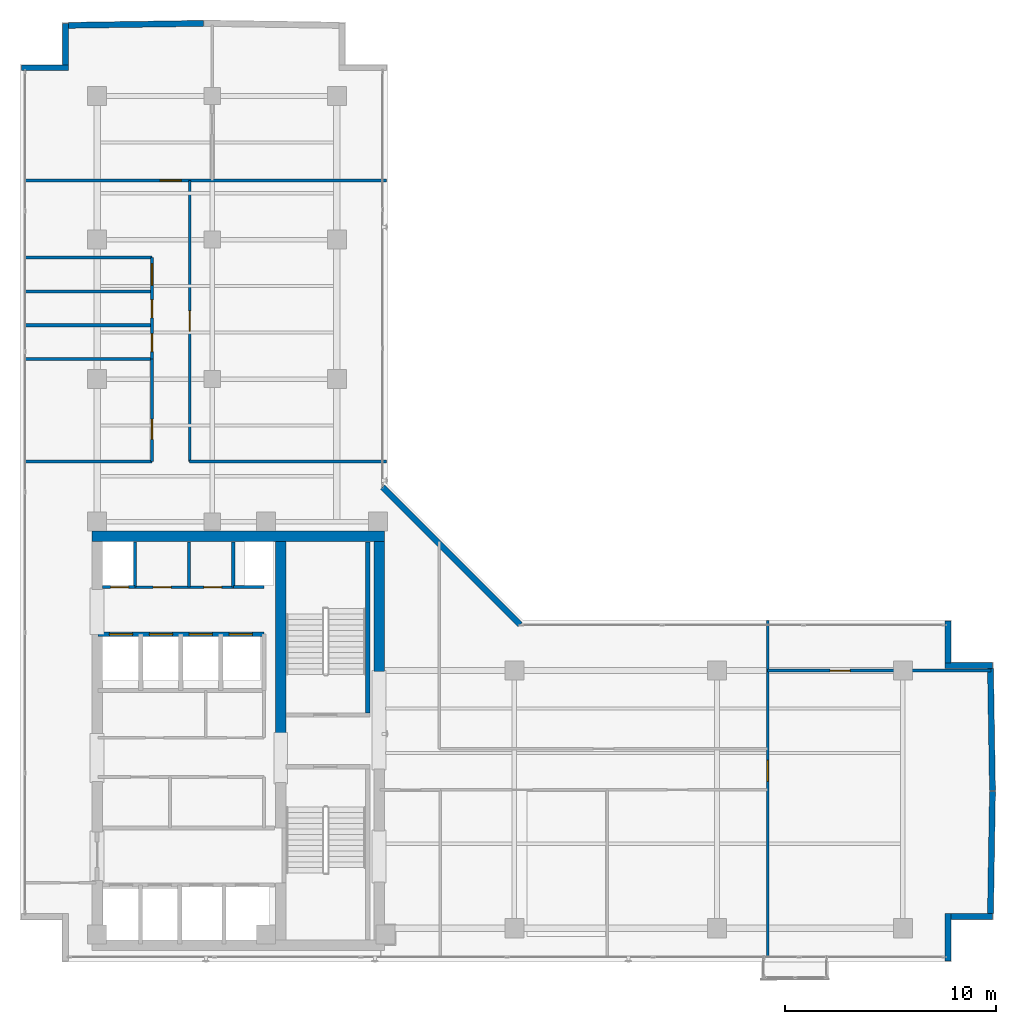
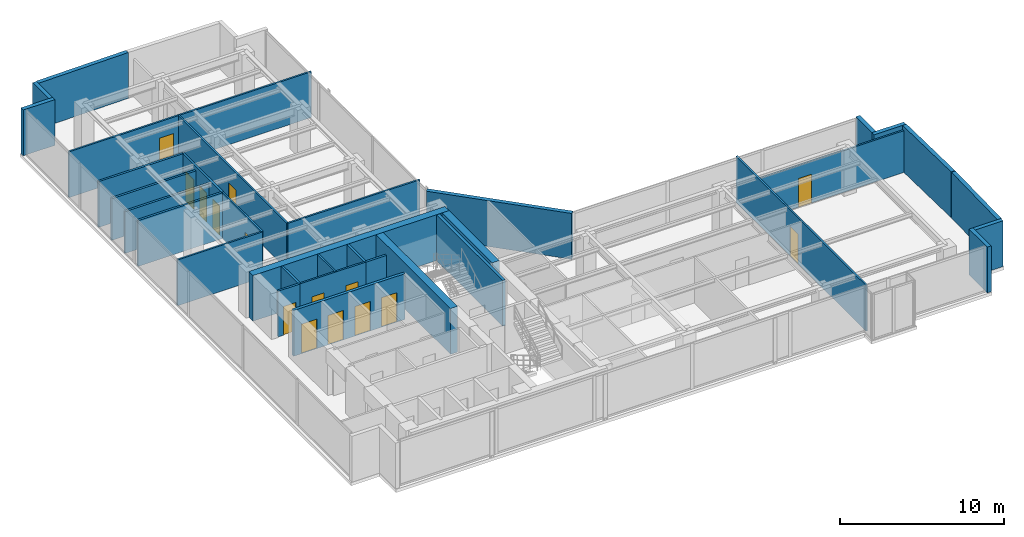
# One storey, part 17 of 23: 33 walls, 15 doors, 15 openings.
"""IFC4 building model written with IfcOpenShell, lengths in metres."""

from ifc_helpers import new_model, si_unit, direction, frame, frame_2d, origin, place, context, subcontext, project, spatial, rectangle, extrude, material, layer, layer_set, type_object, element, fill, save


model = new_model("IFC4")

# Units and contexts
model_context = context("Model", 3, precision=1e-05, world=origin(), true_north=direction((0.0, 1.0)))
body_context = subcontext(model_context, "Body", "Model", "MODEL_VIEW")
ifc_project = project(units=[si_unit("LENGTHUNIT", "METRE"), si_unit("AREAUNIT", "SQUARE_METRE"), si_unit("VOLUMEUNIT", "CUBIC_METRE"), si_unit("PLANEANGLEUNIT", "RADIAN"), si_unit("MASSUNIT", "GRAM", prefix="KILO")], contexts=[model_context])

# Site, building, storey
site_placement = place(None, origin())
site = spatial("IfcSite", under=ifc_project, at=site_placement, CompositionType="ELEMENT")
building_placement = place(site_placement, origin())
building = spatial("IfcBuilding", under=site, at=building_placement, Name="Kolvaren Waterfront Exchange", CompositionType="ELEMENT")
storey_placement = place(building_placement, frame((0.0, 0.0, 335.0)))
storey = spatial("IfcBuildingStorey", under=building, at=storey_placement, Name="L86", CompositionType="ELEMENT", Elevation=335.0)

# Walls
ifc_material_1 = material(Name="Precast concrete C40/50", Category="concrete")
ifc_layer_1 = layer(ifc_material_1, 0.280029296875, Name="Precast concrete C40/50")
ifc_layer_set_1 = layer_set([ifc_layer_1], Name="Precast concrete C40/50")
wall_type_1 = type_object("IfcWallType", Name="ARC-EXT-TERR-280", PredefinedType="SOLIDWALL", material=ifc_layer_set_1)
wall_1_placement = place(storey_placement, frame((47.739990234375, 3.659912109375, 0.0), z_axis=(0.0, 0.0, 1.0), x_axis=(0.0, 1.0, 0.0)))
element("IfcWall", 1, at=wall_1_placement, inside=storey, type_object=wall_type_1, Name="L86 notched corner spandrel pier SE-A", PredefinedType="SOLIDWALL", context=body_context, shape_type="SweptSolid", body=[
    extrude(rectangle(XDim=2.239990234375, YDim=0.280029296875, at=frame_2d((1.1201171875, 0.0))), origin(), (0.0, 0.0, 1.0), 3.419921875),
])
wall_2_placement = place(storey_placement, frame((47.8798828125, 5.760009765625, 0.0), z_axis=(0.0, 0.0, 1.0), x_axis=(1.0, 0.0, 0.0)))
element("IfcWall", 2, at=wall_2_placement, inside=storey, type_object=wall_type_1, Name="L86 notched corner spandrel pier SE-B", PredefinedType="SOLIDWALL", context=body_context, shape_type="SweptSolid", body=[
    extrude(rectangle(XDim=1.960205078125, YDim=0.280029296875, at=frame_2d((0.97998046875, 0.0))), origin(), (0.0, 0.0, 1.0), 3.419921875),
])
wall_3_placement = place(storey_placement, frame((47.739990234375, 17.764892578125, 0.0), z_axis=(0.0, 0.0, 1.0), x_axis=(0.0, 1.0, 0.0)))
element("IfcWall", 3, at=wall_3_placement, inside=storey, type_object=wall_type_1, Name="L86 notched corner spandrel pier ENE-A", PredefinedType="SOLIDWALL", context=body_context, shape_type="SweptSolid", body=[
    extrude(rectangle(XDim=1.97509765625, YDim=0.280029296875, at=frame_2d((0.987548828125, 0.0))), origin(), (0.0, 0.0, 1.0), 3.419921875),
])
for number, where, z_axis, x_axis, name in (
    (4, (47.60009765625, 17.639892578125, 0.0), (0.0, 0.0, 1.0), (1.0, 0.0, 0.0), "L86 notched corner spandrel pier ENE-B"),
    (5, (3.860107421875, 45.93994140625, 0.0), (0.0, 0.0, 1.0), (1.0, 0.0, 0.0), "L86 notched corner spandrel pier NW-A"),
):
    element("IfcWall", number, at=place(storey_placement, frame(where, z_axis=z_axis, x_axis=x_axis)), inside=storey, type_object=wall_type_1, Name=name, PredefinedType="SOLIDWALL", context=body_context, shape_type="SweptSolid", body=[
        extrude(rectangle(XDim=2.239990234375, YDim=0.280029296875, at=frame_2d((1.1201171875, 0.0))), origin(), (0.0, 0.0, 1.0), 3.419921875),
    ])
wall_4_placement = place(storey_placement, frame((5.9599609375, 46.080078125, 0.0), z_axis=(0.0, 0.0, 1.0), x_axis=(0.0, 1.0, 0.0)))
element("IfcWall", 6, at=wall_4_placement, inside=storey, type_object=wall_type_1, Name="L86 notched corner spandrel pier NW-B", PredefinedType="SOLIDWALL", context=body_context, shape_type="SweptSolid", body=[
    extrude(rectangle(XDim=1.9599609375, YDim=0.280029296875, at=frame_2d((0.97998046875, 0.0))), origin(), (0.0, 0.0, 1.0), 3.419921875),
])
wall_5_placement = place(storey_placement, frame((27.485107421875, 19.574951171875, 0.0), z_axis=(0.0, 0.0, 1.0), x_axis=(-0.707106781187, 0.707106781187, 0.0)))
element("IfcWall", 7, at=wall_5_placement, inside=storey, type_object=wall_type_1, Name="L86 notched corner spandrel pier ELBOW", PredefinedType="SOLIDWALL", context=body_context, shape_type="SweptSolid", body=[
    extrude(rectangle(XDim=9.20654296875, YDim=0.280029296875, at=frame_2d((4.603271484375, 0.0))), origin(), (0.0, 0.0, 1.0), 3.419921875),
])
for number, where, z_axis, x_axis, name in (
    (8, (49.744873046875, 5.902587890625, 0.0), (0.0, 0.0, 1.0), (0.016386395134, 0.999865734014, 0.0), "L86 east prow faceted facade wall 1"),
    (9, (49.839599609375, 11.71728515625, 0.0), (0.0, 0.0, 1.0), (-0.016386395134, 0.999865734014, 0.0), "L86 east prow faceted facade wall 2"),
):
    element("IfcWall", number, at=place(storey_placement, frame(where, z_axis=z_axis, x_axis=x_axis)), inside=storey, type_object=wall_type_1, Name=name, PredefinedType="SOLIDWALL", context=body_context, shape_type="SweptSolid", body=[
        extrude(rectangle(XDim=5.78076171875, YDim=0.280029296875, at=frame_2d((2.890380859375, 0.0))), origin(), (0.0, 0.0, 1.0), 3.419921875),
    ])
wall_6_placement = place(storey_placement, frame((12.482421875, 48.039794921875, 0.0), z_axis=(0.0, 0.0, 1.0), x_axis=(-0.999888660787, -0.014921998152, 0.0)))
element("IfcWall", 10, at=wall_6_placement, inside=storey, type_object=wall_type_1, Name="L86 north prow faceted facade wall 2", PredefinedType="SOLIDWALL", context=body_context, shape_type="SweptSolid", body=[
    extrude(rectangle(XDim=6.380859375, YDim=0.280029296875, at=frame_2d((3.1904296875, 0.0))), origin(), (0.0, 0.0, 1.0), 3.419921875),
])

# Wall, openings, doors
ifc_material_2 = material(Name="Acoustic gypsum steel stud", Category="steel")
ifc_layer_2 = layer(ifc_material_2, 0.125, Name="Acoustic gypsum steel stud")
ifc_layer_set_2 = layer_set([ifc_layer_2], Name="Acoustic gypsum steel stud")
wall_type_2 = type_object("IfcWallType", Name="ARC-PART-125", PredefinedType="PARTITIONING", material=ifc_layer_set_2)
wall_7_placement = place(storey_placement, frame((9.25, 21.35009765625, 0.0), z_axis=(0.0, 0.0, 1.0), x_axis=(1.0, 0.0, 0.0)))
wall_7 = element("IfcWall", 11, at=wall_7_placement, inside=storey, type_object=wall_type_2, Name="L86 interior wall PW-L86-SVC-HI-S", PredefinedType="PARTITIONING", context=body_context, shape_type="SweptSolid", body=[
    extrude(rectangle(XDim=4.64990234375, YDim=0.125, at=frame_2d((2.324951171875, 0.0))), origin(), (0.0, 0.0, 1.0), 3.419921875),
])
opening_1_placement = place(wall_7_placement, frame((0.85009765625, 0.0, 0.0)))
opening_1 = element("IfcOpeningElement", 12, at=opening_1_placement, cuts=wall_7, Name="Opening D01", PredefinedType="OPENING", context=body_context, shape_type="SweptSolid", body=[
    extrude(rectangle(XDim=0.85009765625, YDim=2.14990234375, at=frame_2d((0.425048828125, 1.074951171875))), frame((0.0, 0.072509765625, 0.0), z_axis=(0.0, -1.0, 0.0), x_axis=(1.0, 0.0, 0.0)), (0.0, 0.0, 1.0), 0.14501953125),
])
opening_2_placement = place(wall_7_placement, frame((3.25, 0.0, 0.0)))
opening_2 = element("IfcOpeningElement", 13, at=opening_2_placement, cuts=wall_7, Name="Opening D01", PredefinedType="OPENING", context=body_context, shape_type="SweptSolid", body=[
    extrude(rectangle(XDim=0.85009765625, YDim=2.14990234375, at=frame_2d((0.425048828125, 1.074951171875))), frame((0.0, 0.072509765625, 0.0), z_axis=(0.0, -1.0, 0.0), x_axis=(1.0, 0.0, 0.0)), (0.0, 0.0, 1.0), 0.14501953125),
])
ifc_material_3 = material(Name="Oak veneer timber leaf", Category="wood")
door_type_1 = type_object("IfcDoorType", Name="ARC-DR-900", OperationType="NOTDEFINED", PredefinedType="DOOR", material=ifc_material_3)
door_1_placement = place(opening_1_placement, origin())
door_1 = element("IfcDoor", 14, at=door_1_placement, inside=storey, type_object=door_type_1, Name="L86 door DR-L86-SVC-DR-1 (D01)", OperationType="SINGLE_SWING_RIGHT", OverallHeight=2.14990234375, OverallWidth=0.85009765625, PredefinedType="DOOR", context=body_context, shape_type="SweptSolid", body=[
    extrude(rectangle(XDim=0.85009765625, YDim=2.14990234375, at=frame_2d((0.425048828125, 1.074951171875))), frame((0.0, 0.02490234375, 0.0), z_axis=(0.0, -1.0, 0.0), x_axis=(1.0, 0.0, 0.0)), (0.0, 0.0, 1.0), 0.050048828125),
])
fill(opening_1, door_1)
door_2_placement = place(opening_2_placement, origin())
door_2 = element("IfcDoor", 15, at=door_2_placement, inside=storey, type_object=door_type_1, Name="L86 door DR-L86-SVC-DR-2 (D01)", OperationType="SINGLE_SWING_LEFT", OverallHeight=2.14990234375, OverallWidth=0.85009765625, PredefinedType="DOOR", context=body_context, shape_type="SweptSolid", body=[
    extrude(rectangle(XDim=0.85009765625, YDim=2.14990234375, at=frame_2d((0.425048828125, 1.074951171875))), frame((0.0, 0.02490234375, 0.0), z_axis=(0.0, -1.0, 0.0), x_axis=(1.0, 0.0, 0.0)), (0.0, 0.0, 1.0), 0.050048828125),
])
fill(opening_2, door_2)

# Wall
wall_8_placement = place(storey_placement, frame((11.800048828125, 21.35009765625, 0.0), z_axis=(0.0, 0.0, 1.0), x_axis=(0.0, 1.0, 0.0)))
element("IfcWall", 16, at=wall_8_placement, inside=storey, type_object=wall_type_2, Name="L86 interior wall PW-L86-SVC-HI-M", PredefinedType="PARTITIONING", context=body_context, shape_type="SweptSolid", body=[
    extrude(rectangle(XDim=2.1298828125, YDim=0.125, at=frame_2d((1.06494140625, 0.0))), origin(), (0.0, 0.0, 1.0), 3.419921875),
])

# Wall, opening, door
wall_9_placement = place(storey_placement, frame((10.050048828125, 27.300048828125, 0.0), z_axis=(0.0, 0.0, 1.0), x_axis=(0.0, 1.0, 0.0)))
wall_9 = element("IfcWall", 17, at=wall_9_placement, inside=storey, type_object=wall_type_2, Name="L86 interior wall PW-L86-PREWC-E", PredefinedType="PARTITIONING", context=body_context, shape_type="SweptSolid", body=[
    extrude(rectangle(XDim=4.849853515625, YDim=0.125, at=frame_2d((2.4248046875, 0.0))), origin(), (0.0, 0.0, 1.0), 3.419921875),
])
opening_3_placement = place(wall_9_placement, frame((1.050048828125, 0.0, 0.0)))
opening_3 = element("IfcOpeningElement", 18, at=opening_3_placement, cuts=wall_9, Name="Opening D02", PredefinedType="OPENING", context=body_context, shape_type="SweptSolid", body=[
    extrude(rectangle(XDim=0.949951171875, YDim=2.14990234375, at=frame_2d((0.47509765625, 1.074951171875))), frame((0.0, 0.072509765625, 0.0), z_axis=(0.0, -1.0, 0.0), x_axis=(1.0, 0.0, 0.0)), (0.0, 0.0, 1.0), 0.14501953125),
])
ifc_material_4 = material(Name="Oak veneer acoustic timber", Category="wood")
door_type_2 = type_object("IfcDoorType", Name="ARC-DR-950", OperationType="NOTDEFINED", PredefinedType="DOOR", material=ifc_material_4)
door_3_placement = place(opening_3_placement, origin())
door_3 = element("IfcDoor", 19, at=door_3_placement, inside=storey, type_object=door_type_2, Name="L86 door DR-L86-PREWC-D (D02)", OperationType="SINGLE_SWING_RIGHT", OverallHeight=2.14990234375, OverallWidth=0.949951171875, PredefinedType="DOOR", context=body_context, shape_type="SweptSolid", body=[
    extrude(rectangle(XDim=0.949951171875, YDim=2.14990234375, at=frame_2d((0.47509765625, 1.074951171875))), frame((0.0, 0.02490234375, 0.0), z_axis=(0.0, -1.0, 0.0), x_axis=(1.0, 0.0, 0.0)), (0.0, 0.0, 1.0), 0.050048828125),
])
fill(opening_3, door_3)

# Wall
wall_10_placement = place(storey_placement, frame((4.0400390625, 27.300048828125, 0.0), z_axis=(0.0, 0.0, 1.0), x_axis=(1.0, 0.0, 0.0)))
element("IfcWall", 20, at=wall_10_placement, inside=storey, type_object=wall_type_2, Name="L86 interior wall PW-L86-PREWC-S", PredefinedType="PARTITIONING", context=body_context, shape_type="SweptSolid", body=[
    extrude(rectangle(XDim=6.010009765625, YDim=0.125, at=frame_2d((3.0048828125, 0.0))), origin(), (0.0, 0.0, 1.0), 3.419921875),
])

# Wall, opening, door
wall_11_placement = place(storey_placement, frame((39.199951171875, 3.840087890625, 0.0), z_axis=(0.0, 0.0, 1.0), x_axis=(0.0, 1.0, 0.0)))
wall_11 = element("IfcWall", 21, at=wall_11_placement, inside=storey, type_object=wall_type_2, Name="L86 interior wall PW-L86-ETIP-W", PredefinedType="PARTITIONING", context=body_context, shape_type="SweptSolid", body=[
    extrude(rectangle(XDim=15.919921875, YDim=0.125, at=frame_2d((7.9599609375, 0.0))), origin(), (0.0, 0.0, 1.0), 3.419921875),
])
opening_4_placement = place(wall_11_placement, frame((8.31005859375, 0.0, 0.0)))
opening_4 = element("IfcOpeningElement", 22, at=opening_4_placement, cuts=wall_11, Name="Opening D03", PredefinedType="OPENING", context=body_context, shape_type="SweptSolid", body=[
    extrude(rectangle(XDim=1.0, YDim=2.199951171875, at=frame_2d((0.5, 1.10009765625))), frame((0.0, 0.072509765625, 0.0), z_axis=(0.0, -1.0, 0.0), x_axis=(1.0, 0.0, 0.0)), (0.0, 0.0, 1.0), 0.14501953125),
])
ifc_material_5 = material(Name="Oak veneer accessible timber", Category="wood")
door_type_3 = type_object("IfcDoorType", Name="ARC-DR-1000", OperationType="NOTDEFINED", PredefinedType="DOOR", material=ifc_material_5)
door_4_placement = place(opening_4_placement, origin())
door_4 = element("IfcDoor", 23, at=door_4_placement, inside=storey, type_object=door_type_3, Name="L86 door DR-L86-ETIP1-D (D03)", OperationType="SINGLE_SWING_RIGHT", OverallHeight=2.199951171875, OverallWidth=1.0, PredefinedType="DOOR", context=body_context, shape_type="SweptSolid", body=[
    extrude(rectangle(XDim=1.0, YDim=2.199951171875, at=frame_2d((0.5, 1.10009765625))), frame((0.0, 0.02490234375, 0.0), z_axis=(0.0, -1.0, 0.0), x_axis=(1.0, 0.0, 0.0)), (0.0, 0.0, 1.0), 0.050048828125),
])
fill(opening_4, door_4)

wall_12_placement = place(storey_placement, frame((39.199951171875, 17.39990234375, 0.0), z_axis=(0.0, 0.0, 1.0), x_axis=(1.0, 0.0, 0.0)))
wall_12 = element("IfcWall", 24, at=wall_12_placement, inside=storey, type_object=wall_type_2, Name="L86 interior wall PW-L86-ETIP-MID", PredefinedType="PARTITIONING", context=body_context, shape_type="SweptSolid", body=[
    extrude(rectangle(XDim=10.56005859375, YDim=0.125, at=frame_2d((5.280029296875, 0.0))), origin(), (0.0, 0.0, 1.0), 3.1201171875),
])
opening_5_placement = place(wall_12_placement, frame((2.949951171875, 0.0, 0.0)))
opening_5 = element("IfcOpeningElement", 25, at=opening_5_placement, cuts=wall_12, Name="Opening D02", PredefinedType="OPENING", context=body_context, shape_type="SweptSolid", body=[
    extrude(rectangle(XDim=0.949951171875, YDim=2.14990234375, at=frame_2d((0.47509765625, 1.074951171875))), frame((0.0, 0.072509765625, 0.0), z_axis=(0.0, -1.0, 0.0), x_axis=(1.0, 0.0, 0.0)), (0.0, 0.0, 1.0), 0.14501953125),
])
door_5_placement = place(opening_5_placement, origin())
door_5 = element("IfcDoor", 26, at=door_5_placement, inside=storey, type_object=door_type_2, Name="L86 door DR-L86-ETIP2-D (D02)", OperationType="SINGLE_SWING_LEFT", OverallHeight=2.14990234375, OverallWidth=0.949951171875, PredefinedType="DOOR", context=body_context, shape_type="SweptSolid", body=[
    extrude(rectangle(XDim=0.949951171875, YDim=2.14990234375, at=frame_2d((0.47509765625, 1.074951171875))), frame((0.0, 0.02490234375, 0.0), z_axis=(0.0, -1.0, 0.0), x_axis=(1.0, 0.0, 0.0)), (0.0, 0.0, 1.0), 0.050048828125),
])
fill(opening_5, door_5)

wall_13_placement = place(storey_placement, frame((4.0400390625, 40.60009765625, 0.0), z_axis=(0.0, 0.0, 1.0), x_axis=(1.0, 0.0, 0.0)))
wall_13 = element("IfcWall", 27, at=wall_13_placement, inside=storey, type_object=wall_type_2, Name="L86 interior wall PW-L86-NTIP-S", PredefinedType="PARTITIONING", context=body_context, shape_type="SweptSolid", body=[
    extrude(rectangle(XDim=17.119873046875, YDim=0.125, at=frame_2d((8.56005859375, 0.0))), origin(), (0.0, 0.0, 1.0), 3.419921875),
])
opening_6_placement = place(wall_13_placement, frame((6.39990234375, 0.0, 0.0)))
opening_6 = element("IfcOpeningElement", 28, at=opening_6_placement, cuts=wall_13, Name="Opening D03", PredefinedType="OPENING", context=body_context, shape_type="SweptSolid", body=[
    extrude(rectangle(XDim=1.0, YDim=2.199951171875, at=frame_2d((0.5, 1.10009765625))), frame((0.0, 0.072509765625, 0.0), z_axis=(0.0, -1.0, 0.0), x_axis=(1.0, 0.0, 0.0)), (0.0, 0.0, 1.0), 0.14501953125),
])
door_6_placement = place(opening_6_placement, origin())
door_6 = element("IfcDoor", 29, at=door_6_placement, inside=storey, type_object=door_type_3, Name="L86 door DR-L86-NTIPW-D (D03)", OperationType="SINGLE_SWING_LEFT", OverallHeight=2.199951171875, OverallWidth=1.0, PredefinedType="DOOR", context=body_context, shape_type="SweptSolid", body=[
    extrude(rectangle(XDim=1.0, YDim=2.199951171875, at=frame_2d((0.5, 1.10009765625))), frame((0.0, 0.02490234375, 0.0), z_axis=(0.0, -1.0, 0.0), x_axis=(1.0, 0.0, 0.0)), (0.0, 0.0, 1.0), 0.050048828125),
])
fill(opening_6, door_6)

# Wall
wall_14_placement = place(storey_placement, frame((11.830078125, 27.300048828125, 0.0), z_axis=(0.0, 0.0, 1.0), x_axis=(1.0, 0.0, 0.0)))
element("IfcWall", 30, at=wall_14_placement, inside=storey, type_object=wall_type_2, Name="L86 interior wall PW-L86-NE-S0", PredefinedType="PARTITIONING", context=body_context, shape_type="SweptSolid", body=[
    extrude(rectangle(XDim=9.329833984375, YDim=0.125, at=frame_2d((4.6650390625, 0.0))), origin(), (0.0, 0.0, 1.0), 3.419921875),
])

# Wall, opening, door
wall_15_placement = place(storey_placement, frame((11.830078125, 27.300048828125, 0.0), z_axis=(0.0, 0.0, 1.0), x_axis=(0.0, 1.0, 0.0)))
wall_15 = element("IfcWall", 31, at=wall_15_placement, inside=storey, type_object=wall_type_2, Name="L86 interior wall PW-L86-NE-CORR", PredefinedType="PARTITIONING", context=body_context, shape_type="SweptSolid", body=[
    extrude(rectangle(XDim=13.300048828125, YDim=0.125, at=frame_2d((6.64990234375, 0.0))), origin(), (0.0, 0.0, 1.0), 3.419921875),
])
opening_7_placement = place(wall_15_placement, frame((6.175048828125, 0.0, 0.0)))
opening_7 = element("IfcOpeningElement", 32, at=opening_7_placement, cuts=wall_15, Name="Opening D02", PredefinedType="OPENING", context=body_context, shape_type="SweptSolid", body=[
    extrude(rectangle(XDim=0.949951171875, YDim=2.14990234375, at=frame_2d((0.47509765625, 1.074951171875))), frame((0.0, 0.072509765625, 0.0), z_axis=(0.0, -1.0, 0.0), x_axis=(1.0, 0.0, 0.0)), (0.0, 0.0, 1.0), 0.14501953125),
])
door_7_placement = place(opening_7_placement, origin())
door_7 = element("IfcDoor", 33, at=door_7_placement, inside=storey, type_object=door_type_2, Name="L86 door DR-L86-NE-D-1 (D02)", OperationType="SINGLE_SWING_LEFT", OverallHeight=2.14990234375, OverallWidth=0.949951171875, PredefinedType="DOOR", context=body_context, shape_type="SweptSolid", body=[
    extrude(rectangle(XDim=0.949951171875, YDim=2.14990234375, at=frame_2d((0.47509765625, 1.074951171875))), frame((0.0, 0.02490234375, 0.0), z_axis=(0.0, -1.0, 0.0), x_axis=(1.0, 0.0, 0.0)), (0.0, 0.0, 1.0), 0.050048828125),
])
fill(opening_7, door_7)

# Walls
ifc_material_6 = material(Name="Gypsum fireboard steel stud", Category="steel")
ifc_layer_3 = layer(ifc_material_6, 0.14990234375, Name="Gypsum fireboard steel stud")
ifc_layer_set_3 = layer_set([ifc_layer_3], Name="Gypsum fireboard steel stud")
wall_type_3 = type_object("IfcWallType", Name="ARC-PART-150", PredefinedType="PARTITIONING", material=ifc_layer_set_3)
for number, where, z_axis, x_axis, name in (
    (34, (9.25, 21.35009765625, 0.0), (0.0, 0.0, 1.0), (0.0, 1.0, 0.0), "L86 interior wall PW-L86-SVC-R1"),
    (35, (13.89990234375, 21.35009765625, 0.0), (0.0, 0.0, 1.0), (0.0, 1.0, 0.0), "L86 interior wall PW-L86-SVC-R2"),
):
    element("IfcWall", number, at=place(storey_placement, frame(where, z_axis=z_axis, x_axis=x_axis)), inside=storey, type_object=wall_type_3, Name=name, PredefinedType="PARTITIONING", context=body_context, shape_type="SweptSolid", body=[
        extrude(rectangle(XDim=2.1298828125, YDim=0.14990234375, at=frame_2d((1.06494140625, 0.0))), origin(), (0.0, 0.0, 1.0), 3.419921875),
    ])

# Wall, opening, door
wall_16_placement = place(storey_placement, frame((7.699951171875, 21.35009765625, 0.0), z_axis=(0.0, 0.0, 1.0), x_axis=(1.0, 0.0, 0.0)))
wall_16 = element("IfcWall", 36, at=wall_16_placement, inside=storey, type_object=wall_type_3, Name="L86 interior wall PW-L86-SVC-RE-S", PredefinedType="PARTITIONING", context=body_context, shape_type="SweptSolid", body=[
    extrude(rectangle(XDim=1.550048828125, YDim=0.14990234375, at=frame_2d((0.77490234375, 0.0))), origin(), (0.0, 0.0, 1.0), 3.419921875),
])
opening_8_placement = place(wall_16_placement, frame((0.389892578125, 0.0, 0.0)))
opening_8 = element("IfcOpeningElement", 37, at=opening_8_placement, cuts=wall_16, Name="Opening FD1", PredefinedType="OPENING", context=body_context, shape_type="SweptSolid", body=[
    extrude(rectangle(XDim=0.85009765625, YDim=2.14990234375, at=frame_2d((0.425048828125, 1.074951171875))), frame((0.0, 0.0849609375, 0.0), z_axis=(0.0, -1.0, 0.0), x_axis=(1.0, 0.0, 0.0)), (0.0, 0.0, 1.0), 0.169921875),
])
ifc_material_7 = material(Name="Pressed steel fire leaf", Category="steel")
door_type_4 = type_object("IfcDoorType", Name="ARC-FD-900", OperationType="NOTDEFINED", PredefinedType="DOOR", material=ifc_material_7)
door_8_placement = place(opening_8_placement, origin())
door_8 = element("IfcDoor", 38, at=door_8_placement, inside=storey, type_object=door_type_4, Name="L86 door DR-L86-RISER-E-DR (FD1)", OperationType="SINGLE_SWING_LEFT", OverallHeight=2.14990234375, OverallWidth=0.85009765625, PredefinedType="DOOR", context=body_context, shape_type="SweptSolid", body=[
    extrude(rectangle(XDim=0.85009765625, YDim=2.14990234375, at=frame_2d((0.425048828125, 1.074951171875))), frame((0.0, 0.02490234375, 0.0), z_axis=(0.0, -1.0, 0.0), x_axis=(1.0, 0.0, 0.0)), (0.0, 0.0, 1.0), 0.050048828125),
])
fill(opening_8, door_8)

# Walls
wall_17_placement = place(storey_placement, frame((13.89990234375, 21.35009765625, 0.0), z_axis=(0.0, 0.0, 1.0), x_axis=(1.0, 0.0, 0.0)))
element("IfcWall", 39, at=wall_17_placement, inside=storey, type_object=wall_type_3, Name="L86 interior wall PW-L86-SVC-RP-S", PredefinedType="PARTITIONING", context=body_context, shape_type="SweptSolid", body=[
    extrude(rectangle(XDim=1.4501953125, YDim=0.14990234375, at=frame_2d((0.72509765625, 0.0))), origin(), (0.0, 0.0, 1.0), 3.419921875),
])
ifc_material_8 = material(Name="Moisture-resistant gypsum stud")
ifc_layer_4 = layer(ifc_material_8, 0.14990234375, Name="Moisture-resistant gypsum stud")
ifc_layer_set_4 = layer_set([ifc_layer_4], Name="Moisture-resistant gypsum stud")
wall_type_4 = type_object("IfcWallType", Name="ARC-PLUMB-150", PredefinedType="PLUMBINGWALL", material=ifc_layer_set_4)
wall_18_placement = place(storey_placement, frame((4.0400390625, 32.14990234375, 0.0), z_axis=(0.0, 0.0, 1.0), x_axis=(1.0, 0.0, 0.0)))
element("IfcWall", 40, at=wall_18_placement, inside=storey, type_object=wall_type_4, Name="L86 interior wall PW-L86-WC-0", PredefinedType="PLUMBINGWALL", context=body_context, shape_type="SweptSolid", body=[
    extrude(rectangle(XDim=6.010009765625, YDim=0.14990234375, at=frame_2d((3.0048828125, 0.0))), origin(), (0.0, 0.0, 1.0), 3.419921875),
])

# Wall, openings, doors
wall_19_placement = place(storey_placement, frame((10.050048828125, 32.14990234375, 0.0), z_axis=(0.0, 0.0, 1.0), x_axis=(0.0, 1.0, 0.0)))
wall_19 = element("IfcWall", 41, at=wall_19_placement, inside=storey, type_object=wall_type_4, Name="L86 interior wall PW-L86-WC-E", PredefinedType="PLUMBINGWALL", context=body_context, shape_type="SweptSolid", body=[
    extrude(rectangle(XDim=4.800048828125, YDim=0.14990234375, at=frame_2d((2.39990234375, 0.0))), origin(), (0.0, 0.0, 1.0), 3.419921875),
])
opening_9_placement = place(wall_19_placement, frame((0.35009765625, 0.0, 0.0)))
opening_9 = element("IfcOpeningElement", 42, at=opening_9_placement, cuts=wall_19, Name="Opening D01", PredefinedType="OPENING", context=body_context, shape_type="SweptSolid", body=[
    extrude(rectangle(XDim=0.85009765625, YDim=2.14990234375, at=frame_2d((0.425048828125, 1.074951171875))), frame((0.0, 0.0849609375, 0.0), z_axis=(0.0, -1.0, 0.0), x_axis=(1.0, 0.0, 0.0)), (0.0, 0.0, 1.0), 0.169921875),
])
opening_10_placement = place(wall_19_placement, frame((1.949951171875, 0.0, 0.0)))
opening_10 = element("IfcOpeningElement", 43, at=opening_10_placement, cuts=wall_19, Name="Opening D01", PredefinedType="OPENING", context=body_context, shape_type="SweptSolid", body=[
    extrude(rectangle(XDim=0.85009765625, YDim=2.14990234375, at=frame_2d((0.425048828125, 1.074951171875))), frame((0.0, 0.0849609375, 0.0), z_axis=(0.0, -1.0, 0.0), x_axis=(1.0, 0.0, 0.0)), (0.0, 0.0, 1.0), 0.169921875),
])
opening_11_placement = place(wall_19_placement, frame((3.5, 0.0, 0.0)))
opening_11 = element("IfcOpeningElement", 44, at=opening_11_placement, cuts=wall_19, Name="Opening D03", PredefinedType="OPENING", context=body_context, shape_type="SweptSolid", body=[
    extrude(rectangle(XDim=1.0, YDim=2.199951171875, at=frame_2d((0.5, 1.10009765625))), frame((0.0, 0.0849609375, 0.0), z_axis=(0.0, -1.0, 0.0), x_axis=(1.0, 0.0, 0.0)), (0.0, 0.0, 1.0), 0.169921875),
])
door_9_placement = place(opening_11_placement, origin())
door_9 = element("IfcDoor", 45, at=door_9_placement, inside=storey, type_object=door_type_3, Name="L86 door DR-L86-WCA-D (D03)", OperationType="SINGLE_SWING_LEFT", OverallHeight=2.199951171875, OverallWidth=1.0, PredefinedType="DOOR", context=body_context, shape_type="SweptSolid", body=[
    extrude(rectangle(XDim=1.0, YDim=2.199951171875, at=frame_2d((0.5, 1.10009765625))), frame((0.0, 0.02490234375, 0.0), z_axis=(0.0, -1.0, 0.0), x_axis=(1.0, 0.0, 0.0)), (0.0, 0.0, 1.0), 0.050048828125),
])
fill(opening_11, door_9)
door_10_placement = place(opening_9_placement, origin())
door_10 = element("IfcDoor", 46, at=door_10_placement, inside=storey, type_object=door_type_1, Name="L86 door DR-L86-WCM-D (D01)", OperationType="SINGLE_SWING_LEFT", OverallHeight=2.14990234375, OverallWidth=0.85009765625, PredefinedType="DOOR", context=body_context, shape_type="SweptSolid", body=[
    extrude(rectangle(XDim=0.85009765625, YDim=2.14990234375, at=frame_2d((0.425048828125, 1.074951171875))), frame((0.0, 0.02490234375, 0.0), z_axis=(0.0, -1.0, 0.0), x_axis=(1.0, 0.0, 0.0)), (0.0, 0.0, 1.0), 0.050048828125),
])
fill(opening_9, door_10)
door_11_placement = place(opening_10_placement, origin())
door_11 = element("IfcDoor", 47, at=door_11_placement, inside=storey, type_object=door_type_1, Name="L86 door DR-L86-WCF-D (D01)", OperationType="SINGLE_SWING_RIGHT", OverallHeight=2.14990234375, OverallWidth=0.85009765625, PredefinedType="DOOR", context=body_context, shape_type="SweptSolid", body=[
    extrude(rectangle(XDim=0.85009765625, YDim=2.14990234375, at=frame_2d((0.425048828125, 1.074951171875))), frame((0.0, 0.02490234375, 0.0), z_axis=(0.0, -1.0, 0.0), x_axis=(1.0, 0.0, 0.0)), (0.0, 0.0, 1.0), 0.050048828125),
])
fill(opening_10, door_11)

# Walls
for number, where, z_axis, x_axis, name in (
    (48, (4.0400390625, 33.75, 0.0), (0.0, 0.0, 1.0), (1.0, 0.0, 0.0), "L86 interior wall PW-L86-WC-1"),
    (49, (4.0400390625, 35.35009765625, 0.0), (0.0, 0.0, 1.0), (1.0, 0.0, 0.0), "L86 interior wall PW-L86-WC-2"),
):
    element("IfcWall", number, at=place(storey_placement, frame(where, z_axis=z_axis, x_axis=x_axis)), inside=storey, type_object=wall_type_4, Name=name, PredefinedType="PLUMBINGWALL", context=body_context, shape_type="SweptSolid", body=[
        extrude(rectangle(XDim=6.010009765625, YDim=0.14990234375, at=frame_2d((3.0048828125, 0.0))), origin(), (0.0, 0.0, 1.0), 3.1201171875),
    ])
wall_20_placement = place(storey_placement, frame((4.0400390625, 36.949951171875, 0.0), z_axis=(0.0, 0.0, 1.0), x_axis=(1.0, 0.0, 0.0)))
element("IfcWall", 50, at=wall_20_placement, inside=storey, type_object=wall_type_4, Name="L86 interior wall PW-L86-WC-3", PredefinedType="PLUMBINGWALL", context=body_context, shape_type="SweptSolid", body=[
    extrude(rectangle(XDim=6.010009765625, YDim=0.14990234375, at=frame_2d((3.0048828125, 0.0))), origin(), (0.0, 0.0, 1.0), 3.419921875),
])
ifc_material_9 = material(Name="Concrete C40/50", Category="concrete")
ifc_layer_5 = layer(ifc_material_9, 0.199951171875, Name="Concrete C40/50")
ifc_layer_set_5 = layer_set([ifc_layer_5], Name="Concrete C40/50")
wall_type_5 = type_object("IfcWallType", Name="ARC-SHAFT-200", PredefinedType="PARTITIONING", material=ifc_layer_set_5)
wall_21_placement = place(storey_placement, frame((20.260009765625, 15.39990234375, 0.0), z_axis=(0.0, 0.0, 1.0), x_axis=(0.0, 1.0, 0.0)))
element("IfcWall", 51, at=wall_21_placement, inside=storey, type_object=wall_type_5, Name="L86 structural stairwell wall PW-L86-ST2-E", PredefinedType="SHEAR", context=body_context, shape_type="SweptSolid", body=[
    extrude(rectangle(XDim=8.090087890625, YDim=0.199951171875, at=frame_2d((4.044921875, 0.0))), origin(), (0.0, 0.0, 1.0), 3.419921875),
])

# Wall, openings, doors
wall_22_placement = place(storey_placement, frame((7.5, 19.1201171875, 0.0), z_axis=(0.0, 0.0, 1.0), x_axis=(1.0, 0.0, 0.0)))
wall_22 = element("IfcWall", 52, at=wall_22_placement, inside=storey, type_object=wall_type_5, Name="L86 interior wall PW-L86-PH-N", PredefinedType="PARTITIONING", context=body_context, shape_type="SweptSolid", body=[
    extrude(rectangle(XDim=7.85009765625, YDim=0.199951171875, at=frame_2d((3.925048828125, 0.0))), origin(), (0.0, 0.0, 1.0), 3.419921875),
])
opening_12_placement = place(wall_22_placement, frame((0.530029296875, 0.0, 0.0)))
opening_12 = element("IfcOpeningElement", 53, at=opening_12_placement, cuts=wall_22, Name="Opening LD2", PredefinedType="OPENING", context=body_context, shape_type="SweptSolid", body=[
    extrude(rectangle(XDim=1.10009765625, YDim=2.199951171875, at=frame_2d((0.550048828125, 1.10009765625))), frame((0.0, 0.10986328125, 0.0), z_axis=(0.0, -1.0, 0.0), x_axis=(1.0, 0.0, 0.0)), (0.0, 0.0, 1.0), 0.219970703125),
])
opening_13_placement = place(wall_22_placement, frame((2.419921875, 0.0, 0.0)))
opening_13 = element("IfcOpeningElement", 54, at=opening_13_placement, cuts=wall_22, Name="Opening LD2", PredefinedType="OPENING", context=body_context, shape_type="SweptSolid", body=[
    extrude(rectangle(XDim=1.10009765625, YDim=2.199951171875, at=frame_2d((0.550048828125, 1.10009765625))), frame((0.0, 0.10986328125, 0.0), z_axis=(0.0, -1.0, 0.0), x_axis=(1.0, 0.0, 0.0)), (0.0, 0.0, 1.0), 0.219970703125),
])
opening_14_placement = place(wall_22_placement, frame((4.31005859375, 0.0, 0.0)))
opening_14 = element("IfcOpeningElement", 55, at=opening_14_placement, cuts=wall_22, Name="Opening LD2", PredefinedType="OPENING", context=body_context, shape_type="SweptSolid", body=[
    extrude(rectangle(XDim=1.10009765625, YDim=2.199951171875, at=frame_2d((0.550048828125, 1.10009765625))), frame((0.0, 0.10986328125, 0.0), z_axis=(0.0, -1.0, 0.0), x_axis=(1.0, 0.0, 0.0)), (0.0, 0.0, 1.0), 0.219970703125),
])
opening_15_placement = place(wall_22_placement, frame((6.199951171875, 0.0, 0.0)))
opening_15 = element("IfcOpeningElement", 56, at=opening_15_placement, cuts=wall_22, Name="Opening LD2", PredefinedType="OPENING", context=body_context, shape_type="SweptSolid", body=[
    extrude(rectangle(XDim=1.10009765625, YDim=2.199951171875, at=frame_2d((0.550048828125, 1.10009765625))), frame((0.0, 0.10986328125, 0.0), z_axis=(0.0, -1.0, 0.0), x_axis=(1.0, 0.0, 0.0)), (0.0, 0.0, 1.0), 0.219970703125),
])
ifc_material_10 = material(Name="Brushed bronze sliding landing door", Category="aluminium")
door_type_5 = type_object("IfcDoorType", Name="ARC-LD-PAX", OperationType="SLIDING_TO_LEFT", PredefinedType="DOOR", material=ifc_material_10)
door_12_placement = place(opening_12_placement, origin())
door_12 = element("IfcDoor", 57, at=door_12_placement, inside=storey, type_object=door_type_5, Name="L86 door LD-L86-PH1 (LD2)", OperationType="SLIDING_TO_LEFT", OverallHeight=2.199951171875, OverallWidth=1.10009765625, PredefinedType="DOOR", context=body_context, shape_type="SweptSolid", body=[
    extrude(rectangle(XDim=1.10009765625, YDim=2.199951171875, at=frame_2d((0.550048828125, 1.10009765625))), frame((0.0, 0.02490234375, 0.0), z_axis=(0.0, -1.0, 0.0), x_axis=(1.0, 0.0, 0.0)), (0.0, 0.0, 1.0), 0.050048828125),
])
fill(opening_12, door_12)
door_13_placement = place(opening_13_placement, origin())
door_13 = element("IfcDoor", 58, at=door_13_placement, inside=storey, type_object=door_type_5, Name="L86 door LD-L86-PH2 (LD2)", OperationType="SLIDING_TO_LEFT", OverallHeight=2.199951171875, OverallWidth=1.10009765625, PredefinedType="DOOR", context=body_context, shape_type="SweptSolid", body=[
    extrude(rectangle(XDim=1.10009765625, YDim=2.199951171875, at=frame_2d((0.550048828125, 1.10009765625))), frame((0.0, 0.02490234375, 0.0), z_axis=(0.0, -1.0, 0.0), x_axis=(1.0, 0.0, 0.0)), (0.0, 0.0, 1.0), 0.050048828125),
])
fill(opening_13, door_13)
door_14_placement = place(opening_14_placement, origin())
door_14 = element("IfcDoor", 59, at=door_14_placement, inside=storey, type_object=door_type_5, Name="L86 door LD-L86-PH3 (LD2)", OperationType="SLIDING_TO_LEFT", OverallHeight=2.199951171875, OverallWidth=1.10009765625, PredefinedType="DOOR", context=body_context, shape_type="SweptSolid", body=[
    extrude(rectangle(XDim=1.10009765625, YDim=2.199951171875, at=frame_2d((0.550048828125, 1.10009765625))), frame((0.0, 0.02490234375, 0.0), z_axis=(0.0, -1.0, 0.0), x_axis=(1.0, 0.0, 0.0)), (0.0, 0.0, 1.0), 0.050048828125),
])
fill(opening_14, door_14)
door_15_placement = place(opening_15_placement, origin())
door_15 = element("IfcDoor", 60, at=door_15_placement, inside=storey, type_object=door_type_5, Name="L86 door LD-L86-PH4 (LD2)", OperationType="SLIDING_TO_LEFT", OverallHeight=2.199951171875, OverallWidth=1.10009765625, PredefinedType="DOOR", context=body_context, shape_type="SweptSolid", body=[
    extrude(rectangle(XDim=1.10009765625, YDim=2.199951171875, at=frame_2d((0.550048828125, 1.10009765625))), frame((0.0, 0.02490234375, 0.0), z_axis=(0.0, -1.0, 0.0), x_axis=(1.0, 0.0, 0.0)), (0.0, 0.0, 1.0), 0.050048828125),
])
fill(opening_15, door_15)

# Walls
ifc_material_11 = material(Name="Concrete C50/60", Category="concrete")
ifc_layer_6 = layer(ifc_material_11, 0.5, Name="Concrete C50/60")
ifc_layer_set_6 = layer_set([ifc_layer_6], Name="Concrete C50/60")
wall_type_6 = type_object("IfcWallType", Name="STR-CWALL-500", PredefinedType="SHEAR", material=ifc_layer_set_6)
wall_23_placement = place(storey_placement, frame((7.199951171875, 23.75, 0.0), z_axis=(0.0, 0.0, 1.0), x_axis=(1.0, 0.0, 0.0)))
element("IfcWall", 61, at=wall_23_placement, inside=storey, type_object=wall_type_6, Name="L86 rear-core shear wall N", PredefinedType="SHEAR", context=body_context, shape_type="SweptSolid", body=[
    extrude(rectangle(XDim=13.85009765625, YDim=0.5, at=frame_2d((6.925048828125, 0.0))), origin(), (0.0, 0.0, 1.0), 3.419921875),
])
wall_24_placement = place(storey_placement, frame((20.800048828125, 17.35009765625, 0.0), z_axis=(0.0, 0.0, 1.0), x_axis=(0.0, 1.0, 0.0)))
element("IfcWall", 62, at=wall_24_placement, inside=storey, type_object=wall_type_6, Name="L86 rear-core shear wall E3", PredefinedType="SHEAR", context=body_context, shape_type="SweptSolid", body=[
    extrude(rectangle(XDim=6.14990234375, YDim=0.5, at=frame_2d((3.074951171875, 0.0))), origin(), (0.0, 0.0, 1.0), 3.419921875),
])
wall_25_placement = place(storey_placement, frame((16.14990234375, 14.39990234375, 0.0), z_axis=(0.0, 0.0, 1.0), x_axis=(0.0, 1.0, 0.0)))
element("IfcWall", 63, at=wall_25_placement, inside=storey, type_object=wall_type_6, Name="L86 rear-core shear wall M3", PredefinedType="SHEAR", context=body_context, shape_type="SweptSolid", body=[
    extrude(rectangle(XDim=9.10009765625, YDim=0.5, at=frame_2d((4.550048828125, 0.0))), origin(), (0.0, 0.0, 1.0), 3.419921875),
])

save(model, "model.ifc")
